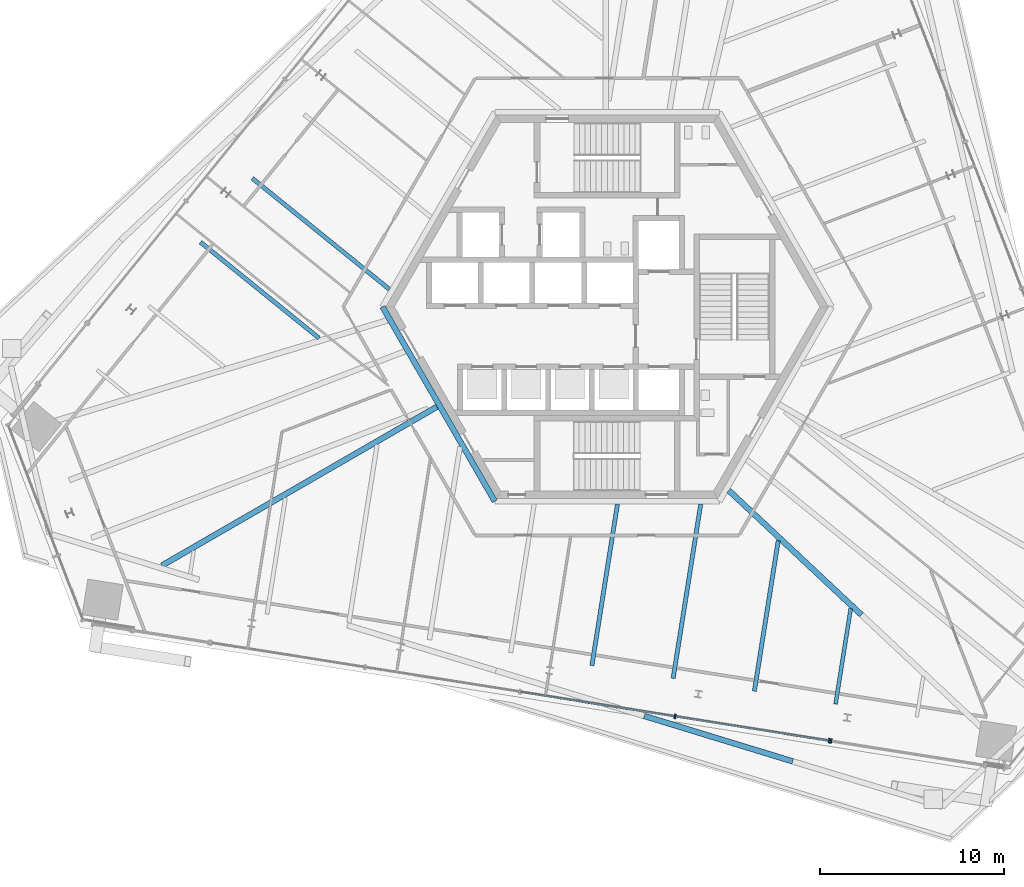
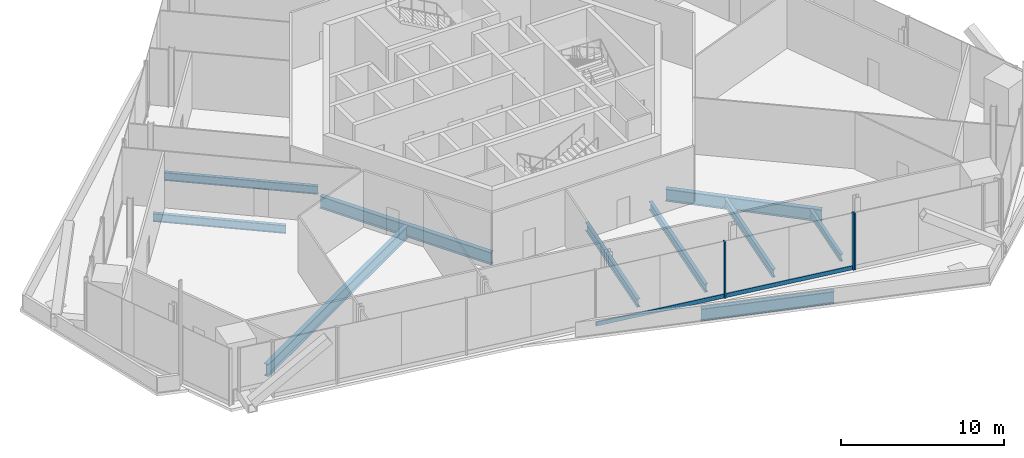
# One storey, part 5 of 22: 10 beams, 5 members, 2 elements without a shape of their own.
"""IFC4 building model written with IfcOpenShell, lengths in metres."""

from ifc_helpers import new_model, si_unit, direction, frame, origin, origin_2d, place, context, subcontext, project, spatial, rectangle, i_section, extrude, source, transform, mapped, material, material_profile, profile_set, type_object, element, aggregate, save


model = new_model("IFC4")

# Units and contexts
model_context = context("Model", 3, precision=1e-05, world=origin(), true_north=direction((0.0, 1.0)))
body_context = subcontext(model_context, "Body", "Model", "MODEL_VIEW")
ifc_project = project(units=[si_unit("LENGTHUNIT", "METRE"), si_unit("AREAUNIT", "SQUARE_METRE"), si_unit("VOLUMEUNIT", "CUBIC_METRE"), si_unit("PLANEANGLEUNIT", "RADIAN"), si_unit("MASSUNIT", "GRAM", prefix="KILO")], contexts=[model_context])

# Site, building, storey
site_placement = place(None, origin())
site = spatial("IfcSite", under=ifc_project, at=site_placement, CompositionType="ELEMENT")
building_placement = place(site_placement, origin())
building = spatial("IfcBuilding", under=site, at=building_placement, Name="Triune Harvest Tower", CompositionType="ELEMENT")
storey_placement = place(building_placement, frame((0.0, 0.0, 138.10009765625)))
storey = spatial("IfcBuildingStorey", under=building, at=storey_placement, Name="L35", CompositionType="ELEMENT", Elevation=138.10009765625)

# Beams
ifc_material_1 = material(Name="Steel ASTM A992 Gr 50", Category="steel")
ifc_material_profile_1 = material_profile(ifc_material_1, i_section(OverallWidth=0.307373046875, OverallDepth=0.922119140625, WebThickness=0.018310546875, FlangeThickness=0.030029296875, at=origin_2d()), Name="W36x182")
ifc_profile_set_1 = profile_set([ifc_material_profile_1], Name="Steel ASTM A992 Gr 50")
beam_type_1 = type_object("IfcBeamType", Name="HG-2 Hip girder W36x182", PredefinedType="BEAM", material=ifc_profile_set_1)
beam_1_placement = place(storey_placement, frame((-24.134765625, -14.025634765625, -0.6611328125), z_axis=(0.866028553638, 0.499994544255, 0.0), x_axis=(-0.499994544255, 0.866028553638, 0.0)))
element("IfcBeam", 1, at=beam_1_placement, inside=storey, type_object=beam_type_1, Name="beam/L35/HG6", PredefinedType="BEAM", context=body_context, shape_type="SweptSolid", body=[
    extrude(i_section(OverallWidth=0.307373046875, OverallDepth=0.922119140625, WebThickness=0.018310546875, FlangeThickness=0.030029296875, at=origin_2d()), origin(), (0.0, 0.0, 1.0), 17.217041015625),
])
ifc_material_2 = material(Name="Steel ASTM A992 Gr 50", Category="steel")
ifc_material_profile_2 = material_profile(ifc_material_2, i_section(OverallWidth=0.22900390625, OverallDepth=0.612060546875, WebThickness=0.011962890625, FlangeThickness=0.01953125, at=origin_2d()), Name="W24x84")
ifc_profile_set_2 = profile_set([ifc_material_profile_2], Name="Steel ASTM A992 Gr 50")
beam_type_2 = type_object("IfcBeamType", Name="JT-3 Floor joist W24x84", PredefinedType="JOIST", material=ifc_profile_set_2)
beam_2_placement = place(storey_placement, frame((-19.23681640625, 6.970947265625, -0.506103515625), z_axis=(0.777147384804, -0.629318633358, 0.0), x_axis=(0.629318633358, 0.777147384804, 0.0)))
element("IfcBeam", 2, at=beam_2_placement, inside=storey, type_object=beam_type_2, Name="beam/L35/JT19", PredefinedType="JOIST", context=body_context, shape_type="SweptSolid", body=[
    extrude(i_section(OverallWidth=0.22900390625, OverallDepth=0.612060546875, WebThickness=0.011962890625, FlangeThickness=0.01953125, at=origin_2d()), origin(), (0.0, 0.0, 1.0), 9.5654296875),
])
beam_3_placement = place(storey_placement, frame((3.581298828125, -20.145263671875, -0.506103515625), z_axis=(0.156422568161, 0.987690224802, 0.0), x_axis=(-0.987690224802, 0.156422568161, 0.0)))
element("IfcBeam", 3, at=beam_3_placement, inside=storey, type_object=beam_type_2, Name="beam/L35/JT31", PredefinedType="JOIST", context=body_context, shape_type="SweptSolid", body=[
    extrude(i_section(OverallWidth=0.22900390625, OverallDepth=0.612060546875, WebThickness=0.011962890625, FlangeThickness=0.01953125, at=origin_2d()), origin(), (0.0, 0.0, 1.0), 9.56591796875),
])
ifc_material_3 = material(Name="Steel ASTM A992 Gr 50", Category="steel")
ifc_material_profile_3 = material_profile(ifc_material_3, i_section(OverallWidth=0.3046875, OverallDepth=0.914306640625, WebThickness=0.0166015625, FlangeThickness=0.02587890625, at=origin_2d()), Name="W36x160")
ifc_profile_set_3 = profile_set([ifc_material_profile_3], Name="Steel ASTM A992 Gr 50")
beam_type_3 = type_object("IfcBeamType", Name="CG-1 Core ring girder W36x160", PredefinedType="BEAM", material=ifc_profile_set_3)
shared_shape_1 = source(origin(), body_context, "Body", "SweptSolid", [
    extrude(i_section(OverallWidth=0.3046875, OverallDepth=0.914306640625, WebThickness=0.0166015625, FlangeThickness=0.02587890625, at=origin_2d()), origin(), (0.0, 0.0, 1.0), 12.176025390625),
])
beam_4_placement = place(storey_placement, frame((-12.176025390625, 0.0, -0.6572265625), z_axis=(0.5000099932, -0.866019634131, 0.0), x_axis=(0.866019634131, 0.5000099932, 0.0)))
element("IfcBeam", 4, at=beam_4_placement, inside=storey, type_object=beam_type_3, Name="beam/L35/CG4", PredefinedType="BEAM", context=body_context, shape_type="MappedRepresentation", body=[
    mapped(shared_shape_1, transform((0.0, 0.0, 0.0), scale=1.0)),
])
ifc_material_4 = material(Name="Steel ASTM A992 Gr 50", Category="steel")
ifc_material_profile_4 = material_profile(ifc_material_4, i_section(OverallWidth=0.3046875, OverallDepth=0.914306640625, WebThickness=0.0166015625, FlangeThickness=0.02587890625, at=origin_2d()), Name="W36x160")
ifc_profile_set_4 = profile_set([ifc_material_profile_4], Name="Steel ASTM A992 Gr 50")
beam_type_4 = type_object("IfcBeamType", Name="SB-1 Spandrel beam W36x160", PredefinedType="SPANDREL", material=ifc_profile_set_4)
shared_shape_2 = source(origin(), body_context, "Body", "SweptSolid", [
    extrude(i_section(OverallWidth=0.3046875, OverallDepth=0.914306640625, WebThickness=0.0166015625, FlangeThickness=0.02587890625, at=origin_2d()), origin(), (0.0, 0.0, 1.0), 8.41455078125),
])
beam_5_placement = place(storey_placement, frame((2.016357421875, -22.1845703125, -0.6572265625), z_axis=(0.956311920953, -0.292348268068, 0.0), x_axis=(0.292348268068, 0.956311920953, 0.0)))
element("IfcBeam", 5, at=beam_5_placement, inside=storey, type_object=beam_type_4, Name="beam/L35/WB18", PredefinedType="SPANDREL", context=body_context, shape_type="MappedRepresentation", body=[
    mapped(shared_shape_2, transform((0.0, 0.0, 0.0), scale=1.0)),
])
shared_shape_3 = source(origin(), body_context, "Body", "SweptSolid", [
    extrude(i_section(OverallWidth=0.307373046875, OverallDepth=0.922119140625, WebThickness=0.018310546875, FlangeThickness=0.030029296875, at=origin_2d()), origin(), (0.0, 0.0, 1.0), 9.85888671875),
])
beam_6_placement = place(storey_placement, frame((13.794189453125, -16.702392578125, -0.6611328125), z_axis=(-0.729486233367, 0.683995493646, 0.0), x_axis=(-0.683995493646, -0.729486233367, 0.0)))
element("IfcBeam", 6, at=beam_6_placement, inside=storey, type_object=beam_type_1, Name="beam/L35/HG8", PredefinedType="BEAM", context=body_context, shape_type="MappedRepresentation", body=[
    mapped(shared_shape_3, transform((0.0, 0.0, 0.0), scale=1.0)),
])
shared_shape_4 = source(origin(), body_context, "Body", "SweptSolid", [
    extrude(i_section(OverallWidth=0.22900390625, OverallDepth=0.612060546875, WebThickness=0.011962890625, FlangeThickness=0.01953125, at=origin_2d()), origin(), (0.0, 0.0, 1.0), 8.859619140625),
])
beam_7_placement = place(storey_placement, frame((-0.822998046875, -19.447509765625, -0.506103515625), z_axis=(0.156439435313, 0.987687553369, 0.0), x_axis=(-0.987687553369, 0.156439435313, 0.0)))
element("IfcBeam", 7, at=beam_7_placement, inside=storey, type_object=beam_type_2, Name="beam/L35/JT30", PredefinedType="JOIST", context=body_context, shape_type="MappedRepresentation", body=[
    mapped(shared_shape_4, transform((0.0, 0.0, 0.0), scale=1.0)),
])
shared_shape_5 = source(origin(), body_context, "Body", "SweptSolid", [
    extrude(i_section(OverallWidth=0.22900390625, OverallDepth=0.612060546875, WebThickness=0.011962890625, FlangeThickness=0.01953125, at=origin_2d()), origin(), (0.0, 0.0, 1.0), 8.265625),
])
for number, where, z_axis, x_axis, name in (
    (8, (-22.043212890625, 3.505615234375, -0.506103515625), (0.777149250716, -0.629316329131, 0.0), (0.629316329131, 0.777149250716, 0.0), "beam/L35/JT20"),
    (9, (7.985595703125, -20.8427734375, -0.506103515625), (0.156428203706, 0.987689332273, 0.0), (-0.987689332273, 0.156428203706, 0.0), "beam/L35/JT32"),
):
    element("IfcBeam", number, at=place(storey_placement, frame(where, z_axis=z_axis, x_axis=x_axis)), inside=storey, type_object=beam_type_2, Name=name, PredefinedType="JOIST", context=body_context, shape_type="MappedRepresentation", body=[
        mapped(shared_shape_5, transform((0.0, 0.0, 0.0), scale=1.0)),
    ])
ifc_material_5 = material(Name="Steel ASTM A992 Gr 50", Category="steel")
ifc_material_profile_5 = material_profile(ifc_material_5, i_section(OverallWidth=0.2099609375, OverallDepth=0.535888671875, WebThickness=0.010986328125, FlangeThickness=0.017333984375, at=origin_2d()), Name="W21x68")
ifc_profile_set_5 = profile_set([ifc_material_profile_5], Name="Steel ASTM A992 Gr 50")
beam_type_5 = type_object("IfcBeamType", Name="JT-2 Floor joist W21x68", PredefinedType="JOIST", material=ifc_profile_set_5)
shared_shape_6 = source(origin(), body_context, "Body", "SweptSolid", [
    extrude(i_section(OverallWidth=0.2099609375, OverallDepth=0.535888671875, WebThickness=0.010986328125, FlangeThickness=0.017333984375, at=origin_2d()), origin(), (0.0, 0.0, 1.0), 5.239990234375),
])
beam_8_placement = place(storey_placement, frame((12.3896484375, -21.540283203125, -0.468017578125), z_axis=(0.156453020349, 0.987685401544, 0.0), x_axis=(-0.987685401544, 0.156453020349, 0.0)))
element("IfcBeam", 10, at=beam_8_placement, inside=storey, type_object=beam_type_5, Name="beam/L35/JT33", PredefinedType="JOIST", context=body_context, shape_type="MappedRepresentation", body=[
    mapped(shared_shape_6, transform((0.0, 0.0, 0.0), scale=1.0)),
])

# Curtain wall, members
ifc_material_6 = material(Name="Aluminium bronze anodised", Category="aluminium")
curtain_wall_type_1 = type_object("IfcCurtainWallType", Name="CW-4 Sky lobby tall glazing wall", PredefinedType="NOTDEFINED", material=ifc_material_6)
curtain_wall_1_placement = place(storey_placement, origin())
curtain_wall_1 = element("IfcCurtainWall", 11, at=curtain_wall_1_placement, inside=storey, type_object=curtain_wall_type_1, Name="CW-4 B4-F5 L35 run 1101")
ifc_material_7 = material(Name="Aluminium bronze anodised", Category="aluminium")
ifc_material_profile_6 = material_profile(ifc_material_7, rectangle(XDim=0.25, YDim=0.090087890625, at=origin_2d()), Name="MU-4 mullion 90 x 250")
ifc_profile_set_6 = profile_set([ifc_material_profile_6], Name="Aluminium bronze anodised")
member_type_1 = type_object("IfcMemberType", Name="MU-4 mullion 90 x 250", PredefinedType="MULLION", material=ifc_profile_set_6)
shared_shape_7 = source(origin(), body_context, "Body", "SweptSolid", [
    extrude(rectangle(XDim=0.25, YDim=0.090087890625, at=origin_2d()), origin(), (0.0, 0.0, 1.0), 4.239990234375),
])
member_1_placement = place(storey_placement, frame((3.68798828125, -22.200927734375, 0.0), z_axis=(0.0, 0.0, 1.0), x_axis=(0.156434764851, 0.98768829311, 0.0)))
member_1 = element("IfcMember", 12, at=member_1_placement, type_object=member_type_1, Name="CW-4 mullion B4-F5 1101.7", PredefinedType="MULLION", context=body_context, shape_type="MappedRepresentation", body=[
    mapped(shared_shape_7, transform((0.0, 0.0, 0.0), scale=1.0)),
])
member_2_placement = place(storey_placement, frame((12.051025390625, -23.525390625, 0.0), z_axis=(0.0, 0.0, 1.0), x_axis=(0.156434764851, 0.98768829311, 0.0)))
member_2 = element("IfcMember", 13, at=member_2_placement, type_object=member_type_1, Name="CW-4 mullion B4-F5 1101.9", PredefinedType="MULLION", context=body_context, shape_type="MappedRepresentation", body=[
    mapped(shared_shape_7, transform((0.0, 0.0, 0.0), scale=1.0)),
])

# Curtain wall, member
ifc_material_8 = material(Name="Aluminium bronze anodised", Category="aluminium")
curtain_wall_type_2 = type_object("IfcCurtainWallType", Name="CW-9 Sky lobby tall glazing wall with insulated spandrel infill", PredefinedType="NOTDEFINED", material=ifc_material_8)
curtain_wall_2_placement = place(storey_placement, origin())
curtain_wall_2 = element("IfcCurtainWall", 14, at=curtain_wall_2_placement, inside=storey, type_object=curtain_wall_type_2, Name="CW-9 B4-F5 L35 run 2101")
member_3_placement = place(storey_placement, frame((12.139892578125, -23.53955078125, 0.0), z_axis=(0.0, 0.0, 1.0), x_axis=(0.156434311067, 0.987688364982, 0.0)))
member_3 = element("IfcMember", 15, at=member_3_placement, type_object=member_type_1, Name="CW-9 mullion B4-F5 2101.1", PredefinedType="MULLION", context=body_context, shape_type="MappedRepresentation", body=[
    mapped(shared_shape_7, transform((0.0, 0.0, 0.0), scale=1.0)),
])
aggregate(curtain_wall_2, [member_3])

# Member
ifc_material_9 = material(Name="Aluminium bronze anodised", Category="aluminium")
ifc_material_profile_7 = material_profile(ifc_material_9, rectangle(XDim=0.10009765625, YDim=0.300048828125, at=origin_2d()), Name="TR-4 transom 100 x 300")
ifc_profile_set_7 = profile_set([ifc_material_profile_7], Name="Aluminium bronze anodised")
member_type_2 = type_object("IfcMemberType", Name="TR-4 transom 100 x 300", PredefinedType="USERDEFINED", material=ifc_profile_set_7)
shared_shape_8 = source(origin(), body_context, "Body", "SweptSolid", [
    extrude(rectangle(XDim=0.10009765625, YDim=0.300048828125, at=origin_2d()), origin(), (0.0, 0.0, 1.0), 8.377197265625),
])
member_4_placement = place(storey_placement, frame((3.732421875, -22.2080078125, 0.14990234375), z_axis=(0.987691974447, -0.156411520075, 0.0), x_axis=(0.156411520075, 0.987691974447, 0.0)))
member_4 = element("IfcMember", 16, at=member_4_placement, type_object=member_type_2, Name="CW-4 transom B4-F5 1101.4", ObjectType="TRANSOM", PredefinedType="USERDEFINED", context=body_context, shape_type="MappedRepresentation", body=[
    mapped(shared_shape_8, transform((0.0, 0.0, 0.0), scale=1.0)),
])

shared_shape_9 = source(origin(), body_context, "Body", "SweptSolid", [
    extrude(rectangle(XDim=0.10009765625, YDim=0.300048828125, at=origin_2d()), origin(), (0.0, 0.0, 1.0), 8.422119140625),
])
member_5_placement = place(storey_placement, frame((-4.6748046875, -20.876220703125, 0.14990234375), z_axis=(0.987685987484, -0.156449321274, 0.0), x_axis=(0.156449321274, 0.987685987484, 0.0)))
member_5 = element("IfcMember", 17, at=member_5_placement, type_object=member_type_2, Name="CW-4 transom B4-F5 1101.3", ObjectType="TRANSOM", PredefinedType="USERDEFINED", context=body_context, shape_type="MappedRepresentation", body=[
    mapped(shared_shape_9, transform((0.0, 0.0, 0.0), scale=1.0)),
])

aggregate(curtain_wall_1, [member_1, member_2, member_5, member_4])

save(model, "model.ifc")
